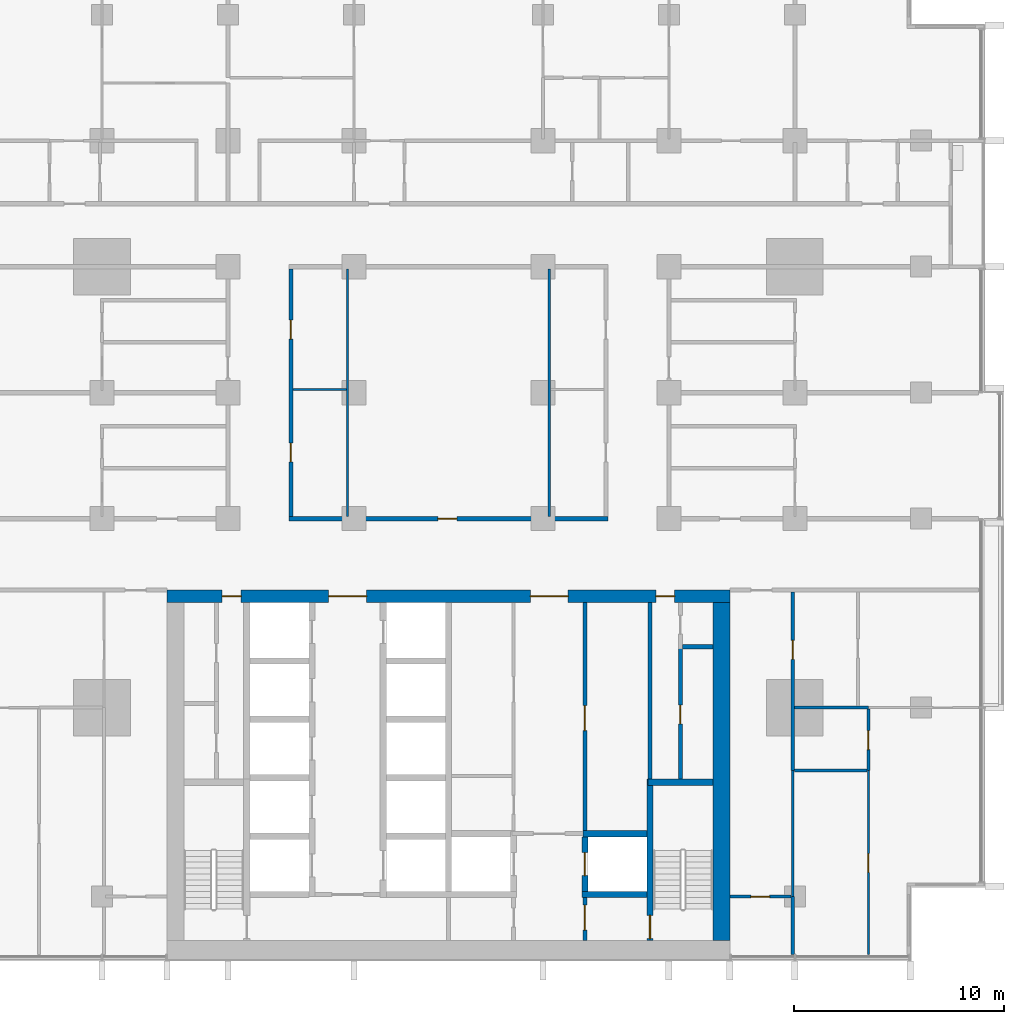
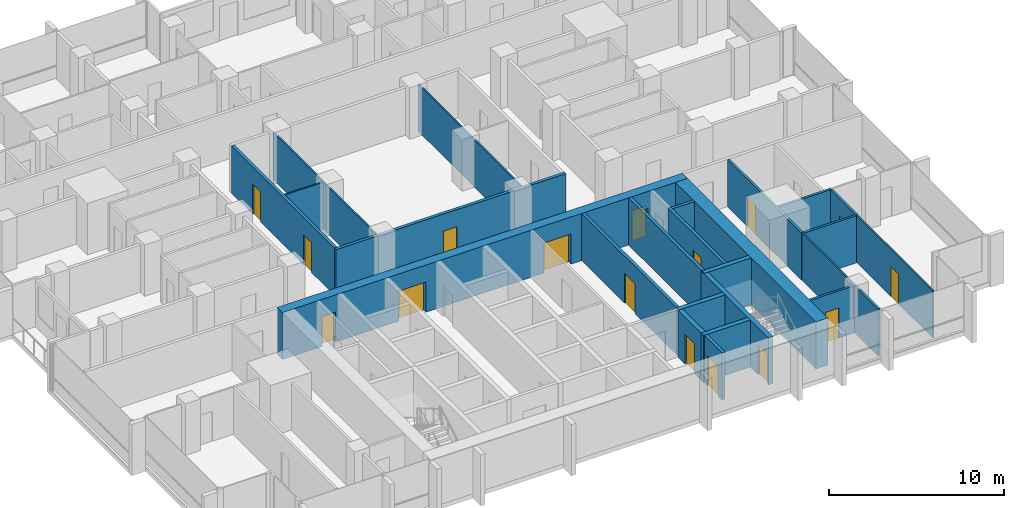
# One storey, part 9 of 17: 25 walls, 16 doors, 16 openings.
"""IFC4 building model written with IfcOpenShell, lengths in metres."""

from ifc_helpers import new_model, si_unit, direction, frame, frame_2d, origin, place, context, subcontext, project, spatial, rectangle, extrude, material, layer, layer_set, type_object, element, fill, save


model = new_model("IFC4")

# Units and contexts
model_context = context("Model", 3, precision=1e-05, world=origin(), true_north=direction((0.0, 1.0)))
body_context = subcontext(model_context, "Body", "Model", "MODEL_VIEW")
ifc_project = project(units=[si_unit("LENGTHUNIT", "METRE"), si_unit("AREAUNIT", "SQUARE_METRE"), si_unit("VOLUMEUNIT", "CUBIC_METRE"), si_unit("PLANEANGLEUNIT", "RADIAN"), si_unit("MASSUNIT", "GRAM", prefix="KILO")], contexts=[model_context])

# Site, building, storey
site_placement = place(None, origin())
site = spatial("IfcSite", under=ifc_project, at=site_placement, CompositionType="ELEMENT")
building_placement = place(site_placement, origin())
building = spatial("IfcBuilding", under=site, at=building_placement, Name="Finial Court Residences", CompositionType="ELEMENT")
storey_placement = place(building_placement, frame((0.0, 0.0, 99.10009765625)))
storey = spatial("IfcBuildingStorey", under=building, at=storey_placement, Name="L24", CompositionType="ELEMENT", Elevation=99.10009765625)

# Wall, openings, doors
ifc_material_1 = material(Name="Concrete C70/85", Category="concrete")
ifc_layer_1 = layer(ifc_material_1, 0.60009765625)
ifc_layer_set_1 = layer_set([ifc_layer_1], Name="Core outer wall 600 Concrete C70/85")
wall_type_1 = type_object("IfcWallType", Name="Core outer wall 600 Concrete C70/85", PredefinedType="SHEAR", material=ifc_layer_set_1)
wall_1_placement = place(storey_placement, frame((-13.39990234375, -8.199951171875, 0.0), z_axis=(0.0, 0.0, 1.0), x_axis=(1.0, 0.0, 0.0)))
wall_1 = element("IfcWall", 1, at=wall_1_placement, inside=storey, type_object=wall_type_1, Name="Core outer wall L24-02", PredefinedType="SHEAR", context=body_context, shape_type="SweptSolid", body=[
    extrude(rectangle(XDim=26.7998046875, YDim=0.60009765625, at=frame_2d((13.39990234375, 0.0))), origin(), (0.0, 0.0, 1.0), 3.2998046875),
])
opening_1_placement = place(wall_1_placement, frame((7.699951171875, 0.0, 0.0)))
opening_1 = element("IfcOpeningElement", 2, at=opening_1_placement, cuts=wall_1, Name="Opening L24-C04", PredefinedType="OPENING", context=body_context, shape_type="SweptSolid", body=[
    extrude(rectangle(XDim=1.800048828125, YDim=2.10009765625, at=frame_2d((0.89990234375, 1.050048828125))), frame((0.0, 0.31005859375, 0.0), z_axis=(0.0, -1.0, 0.0), x_axis=(1.0, 0.0, 0.0)), (0.0, 0.0, 1.0), 0.6201171875),
])
opening_2_placement = place(wall_1_placement, frame((17.300048828125, 0.0, 0.0)))
opening_2 = element("IfcOpeningElement", 3, at=opening_2_placement, cuts=wall_1, Name="Opening L24-C05", PredefinedType="OPENING", context=body_context, shape_type="SweptSolid", body=[
    extrude(rectangle(XDim=1.800048828125, YDim=2.10009765625, at=frame_2d((0.89990234375, 1.050048828125))), frame((0.0, 0.31005859375, 0.0), z_axis=(0.0, -1.0, 0.0), x_axis=(1.0, 0.0, 0.0)), (0.0, 0.0, 1.0), 0.6201171875),
])
opening_3_placement = place(wall_1_placement, frame((2.625, 0.0, 0.0)))
opening_3 = element("IfcOpeningElement", 4, at=opening_3_placement, cuts=wall_1, Name="Opening L24-C10", PredefinedType="OPENING", context=body_context, shape_type="SweptSolid", body=[
    extrude(rectangle(XDim=0.89990234375, YDim=2.10009765625, at=frame_2d((0.449951171875, 1.050048828125))), frame((0.0, 0.31005859375, 0.0), z_axis=(0.0, -1.0, 0.0), x_axis=(1.0, 0.0, 0.0)), (0.0, 0.0, 1.0), 0.6201171875),
])
opening_4_placement = place(wall_1_placement, frame((23.27490234375, 0.0, 0.0)))
opening_4 = element("IfcOpeningElement", 5, at=opening_4_placement, cuts=wall_1, Name="Opening L24-C11", PredefinedType="OPENING", context=body_context, shape_type="SweptSolid", body=[
    extrude(rectangle(XDim=0.89990234375, YDim=2.10009765625, at=frame_2d((0.449951171875, 1.050048828125))), frame((0.0, 0.31005859375, 0.0), z_axis=(0.0, -1.0, 0.0), x_axis=(1.0, 0.0, 0.0)), (0.0, 0.0, 1.0), 0.6201171875),
])
ifc_material_2 = material(Name="Steel fire door", Category="steel")
door_type_1 = type_object("IfcDoorType", Name="Lift lobby door 1800 x 2100 EI 60", OperationType="DOUBLE_DOOR_SINGLE_SWING", PredefinedType="DOOR", material=ifc_material_2)
door_1_placement = place(opening_1_placement, origin())
door_1 = element("IfcDoor", 6, at=door_1_placement, inside=storey, type_object=door_type_1, Name="Lift lobby door L24-C04", OperationType="DOUBLE_DOOR_SINGLE_SWING", OverallHeight=2.10009765625, OverallWidth=1.800048828125, PredefinedType="DOOR", context=body_context, shape_type="SweptSolid", body=[
    extrude(rectangle(XDim=1.800048828125, YDim=2.10009765625, at=frame_2d((0.89990234375, 1.050048828125))), frame((0.0, 0.02490234375, 0.0), z_axis=(0.0, -1.0, 0.0), x_axis=(1.0, 0.0, 0.0)), (0.0, 0.0, 1.0), 0.050048828125),
])
fill(opening_1, door_1)
door_2_placement = place(opening_2_placement, origin())
door_2 = element("IfcDoor", 7, at=door_2_placement, inside=storey, type_object=door_type_1, Name="Lift lobby door L24-C05", OperationType="DOUBLE_DOOR_SINGLE_SWING", OverallHeight=2.10009765625, OverallWidth=1.800048828125, PredefinedType="DOOR", context=body_context, shape_type="SweptSolid", body=[
    extrude(rectangle(XDim=1.800048828125, YDim=2.10009765625, at=frame_2d((0.89990234375, 1.050048828125))), frame((0.0, 0.02490234375, 0.0), z_axis=(0.0, -1.0, 0.0), x_axis=(1.0, 0.0, 0.0)), (0.0, 0.0, 1.0), 0.050048828125),
])
fill(opening_2, door_2)
door_type_2 = type_object("IfcDoorType", Name="Riser room door 900 x 2100 EI 90", OperationType="NOTDEFINED", PredefinedType="DOOR", material=ifc_material_2)
door_3_placement = place(opening_3_placement, origin())
door_3 = element("IfcDoor", 8, at=door_3_placement, inside=storey, type_object=door_type_2, Name="Riser room door L24-C10", OperationType="SINGLE_SWING_RIGHT", OverallHeight=2.10009765625, OverallWidth=0.89990234375, PredefinedType="DOOR", context=body_context, shape_type="SweptSolid", body=[
    extrude(rectangle(XDim=0.89990234375, YDim=2.10009765625, at=frame_2d((0.449951171875, 1.050048828125))), frame((0.0, 0.02490234375, 0.0), z_axis=(0.0, -1.0, 0.0), x_axis=(1.0, 0.0, 0.0)), (0.0, 0.0, 1.0), 0.050048828125),
])
fill(opening_3, door_3)
door_4_placement = place(opening_4_placement, origin())
door_4 = element("IfcDoor", 9, at=door_4_placement, inside=storey, type_object=door_type_2, Name="Riser room door L24-C11", OperationType="SINGLE_SWING_LEFT", OverallHeight=2.10009765625, OverallWidth=0.89990234375, PredefinedType="DOOR", context=body_context, shape_type="SweptSolid", body=[
    extrude(rectangle(XDim=0.89990234375, YDim=2.10009765625, at=frame_2d((0.449951171875, 1.050048828125))), frame((0.0, 0.02490234375, 0.0), z_axis=(0.0, -1.0, 0.0), x_axis=(1.0, 0.0, 0.0)), (0.0, 0.0, 1.0), 0.050048828125),
])
fill(opening_4, door_4)

# Wall
ifc_layer_2 = layer(ifc_material_1, 0.800048828125)
ifc_layer_set_2 = layer_set([ifc_layer_2], Name="Core outer wall 800 Concrete C70/85")
wall_type_2 = type_object("IfcWallType", Name="Core outer wall 800 Concrete C70/85", PredefinedType="SHEAR", material=ifc_layer_set_2)
wall_2_placement = place(storey_placement, frame((13.0, -24.60009765625, 0.0), z_axis=(0.0, 0.0, 1.0), x_axis=(0.0, 1.0, 0.0)))
element("IfcWall", 10, at=wall_2_placement, inside=storey, type_object=wall_type_2, Name="Core outer wall L24-04", PredefinedType="SHEAR", context=body_context, shape_type="SweptSolid", body=[
    extrude(rectangle(XDim=16.10009765625, YDim=0.800048828125, at=frame_2d((8.050048828125, 0.0))), origin(), (0.0, 0.0, 1.0), 3.2998046875),
])

# Wall, opening, door
ifc_material_3 = material(Name="Gypsum board")
ifc_layer_3 = layer(ifc_material_3, 0.02490234375)
ifc_material_4 = material(Name="Acoustic mineral wool in double frame")
ifc_layer_4 = layer(ifc_material_4, 0.14990234375)
ifc_layer_5 = layer(ifc_material_3, 0.02490234375)
ifc_layer_set_3 = layer_set([ifc_layer_3, ifc_layer_4, ifc_layer_5], Name="Corridor wall 200, 1 hour")
wall_type_3 = type_object("IfcWallType", Name="Corridor wall 200, 1 hour", PredefinedType="PARTITIONING", material=ifc_layer_set_3)
wall_3_placement = place(storey_placement, frame((-7.60009765625, -4.5, 0.0), z_axis=(0.0, 0.0, 1.0), x_axis=(1.0, 0.0, 0.0)))
wall_3 = element("IfcWall", 11, at=wall_3_placement, inside=storey, type_object=wall_type_3, Name="Partition L24-010", PredefinedType="PARTITIONING", context=body_context, shape_type="SweptSolid", body=[
    extrude(rectangle(XDim=15.2001953125, YDim=0.199951171875, at=frame_2d((7.60009765625, 0.0))), origin(), (0.0, 0.0, 1.0), 3.2998046875),
])
opening_5_placement = place(wall_3_placement, frame((7.10009765625, 0.0, 0.0)))
opening_5 = element("IfcOpeningElement", 12, at=opening_5_placement, cuts=wall_3, Name="Opening L24-D008", PredefinedType="OPENING", context=body_context, shape_type="SweptSolid", body=[
    extrude(rectangle(XDim=0.89990234375, YDim=2.10009765625, at=frame_2d((0.449951171875, 1.050048828125))), frame((0.0, 0.10986328125, 0.0), z_axis=(0.0, -1.0, 0.0), x_axis=(1.0, 0.0, 0.0)), (0.0, 0.0, 1.0), 0.219970703125),
])
ifc_material_5 = material(Name="Timber door leaf in hollow metal frame", Category="wood")
door_type_3 = type_object("IfcDoorType", Name="Fire door set 900 x 2100, 30 minutes", OperationType="SINGLE_SWING_LEFT", PredefinedType="DOOR", material=ifc_material_5)
door_5_placement = place(opening_5_placement, origin())
door_5 = element("IfcDoor", 13, at=door_5_placement, inside=storey, type_object=door_type_3, Name="Door L24-D008", OperationType="SINGLE_SWING_RIGHT", OverallHeight=2.10009765625, OverallWidth=0.89990234375, PredefinedType="DOOR", context=body_context, shape_type="SweptSolid", body=[
    extrude(rectangle(XDim=0.89990234375, YDim=2.10009765625, at=frame_2d((0.449951171875, 1.050048828125))), frame((0.0, 0.02490234375, 0.0), z_axis=(0.0, -1.0, 0.0), x_axis=(1.0, 0.0, 0.0)), (0.0, 0.0, 1.0), 0.050048828125),
])
fill(opening_5, door_5)

# Wall, openings, doors
wall_4_placement = place(storey_placement, frame((-7.5, -4.39990234375, 0.0), z_axis=(0.0, 0.0, 1.0), x_axis=(0.0, 1.0, 0.0)))
wall_4 = element("IfcWall", 14, at=wall_4_placement, inside=storey, type_object=wall_type_3, Name="Partition L24-057", PredefinedType="PARTITIONING", context=body_context, shape_type="SweptSolid", body=[
    extrude(rectangle(XDim=11.7998046875, YDim=0.199951171875, at=frame_2d((5.89990234375, 0.0))), origin(), (0.0, 0.0, 1.0), 3.2998046875),
])
opening_6_placement = place(wall_4_placement, frame((2.60009765625, 0.0, 0.0)))
opening_6 = element("IfcOpeningElement", 15, at=opening_6_placement, cuts=wall_4, Name="Opening L24-D032", PredefinedType="OPENING", context=body_context, shape_type="SweptSolid", body=[
    extrude(rectangle(XDim=0.89990234375, YDim=2.10009765625, at=frame_2d((0.449951171875, 1.050048828125))), frame((0.0, 0.10986328125, 0.0), z_axis=(0.0, -1.0, 0.0), x_axis=(1.0, 0.0, 0.0)), (0.0, 0.0, 1.0), 0.219970703125),
])
opening_7_placement = place(wall_4_placement, frame((8.449951171875, 0.0, 0.0)))
opening_7 = element("IfcOpeningElement", 16, at=opening_7_placement, cuts=wall_4, Name="Opening L24-D033", PredefinedType="OPENING", context=body_context, shape_type="SweptSolid", body=[
    extrude(rectangle(XDim=0.89990234375, YDim=2.10009765625, at=frame_2d((0.449951171875, 1.050048828125))), frame((0.0, 0.10986328125, 0.0), z_axis=(0.0, -1.0, 0.0), x_axis=(1.0, 0.0, 0.0)), (0.0, 0.0, 1.0), 0.219970703125),
])
door_6_placement = place(opening_6_placement, origin())
door_6 = element("IfcDoor", 17, at=door_6_placement, inside=storey, type_object=door_type_3, Name="Door L24-D032", OperationType="SINGLE_SWING_LEFT", OverallHeight=2.10009765625, OverallWidth=0.89990234375, PredefinedType="DOOR", context=body_context, shape_type="SweptSolid", body=[
    extrude(rectangle(XDim=0.89990234375, YDim=2.10009765625, at=frame_2d((0.449951171875, 1.050048828125))), frame((0.0, 0.02490234375, 0.0), z_axis=(0.0, -1.0, 0.0), x_axis=(1.0, 0.0, 0.0)), (0.0, 0.0, 1.0), 0.050048828125),
])
fill(opening_6, door_6)
door_7_placement = place(opening_7_placement, origin())
door_7 = element("IfcDoor", 18, at=door_7_placement, inside=storey, type_object=door_type_3, Name="Door L24-D033", OperationType="SINGLE_SWING_RIGHT", OverallHeight=2.10009765625, OverallWidth=0.89990234375, PredefinedType="DOOR", context=body_context, shape_type="SweptSolid", body=[
    extrude(rectangle(XDim=0.89990234375, YDim=2.10009765625, at=frame_2d((0.449951171875, 1.050048828125))), frame((0.0, 0.02490234375, 0.0), z_axis=(0.0, -1.0, 0.0), x_axis=(1.0, 0.0, 0.0)), (0.0, 0.0, 1.0), 0.050048828125),
])
fill(opening_7, door_7)

# Wall, opening, door
ifc_material_6 = material(Name="Fire-rated gypsum board partition")
ifc_layer_6 = layer(ifc_material_6, 0.199951171875)
ifc_layer_set_4 = layer_set([ifc_layer_6], Name="Firefighting lobby wall 200 EI 120")
wall_type_4 = type_object("IfcWallType", Name="Firefighting lobby wall 200 EI 120", PredefinedType="PARTITIONING", material=ifc_layer_set_4)
wall_5_placement = place(storey_placement, frame((6.5, -22.550048828125, 0.0), z_axis=(0.0, 0.0, 1.0), x_axis=(0.0, -1.0, 0.0)))
wall_5 = element("IfcWall", 19, at=wall_5_placement, inside=storey, type_object=wall_type_4, Name="Core partition L24-32", PredefinedType="PARTITIONING", context=body_context, shape_type="SweptSolid", body=[
    extrude(rectangle(XDim=2.050048828125, YDim=0.199951171875, at=frame_2d((1.02490234375, 0.0))), origin(), (0.0, 0.0, 1.0), 3.2998046875),
])
opening_8_placement = place(wall_5_placement, frame((0.35009765625, 0.0, 0.0)))
opening_8 = element("IfcOpeningElement", 20, at=opening_8_placement, cuts=wall_5, Name="Opening L24-C01", PredefinedType="OPENING", context=body_context, shape_type="SweptSolid", body=[
    extrude(rectangle(XDim=1.199951171875, YDim=2.10009765625, at=frame_2d((0.60009765625, 1.050048828125))), frame((0.0, 0.10986328125, 0.0), z_axis=(0.0, -1.0, 0.0), x_axis=(1.0, 0.0, 0.0)), (0.0, 0.0, 1.0), 0.219970703125),
])
door_type_4 = type_object("IfcDoorType", Name="Firefighting lobby door 1200 x 2100 EI 90", OperationType="NOTDEFINED", PredefinedType="DOOR", material=ifc_material_2)
door_8_placement = place(opening_8_placement, origin())
door_8 = element("IfcDoor", 21, at=door_8_placement, inside=storey, type_object=door_type_4, Name="Firefighting lobby door L24-C01", OperationType="SINGLE_SWING_RIGHT", OverallHeight=2.10009765625, OverallWidth=1.199951171875, PredefinedType="DOOR", context=body_context, shape_type="SweptSolid", body=[
    extrude(rectangle(XDim=1.199951171875, YDim=2.10009765625, at=frame_2d((0.60009765625, 1.050048828125))), frame((0.0, 0.02490234375, 0.0), z_axis=(0.0, -1.0, 0.0), x_axis=(1.0, 0.0, 0.0)), (0.0, 0.0, 1.0), 0.050048828125),
])
fill(opening_8, door_8)

# Walls
ifc_layer_7 = layer(ifc_material_3, 0.012451171875)
ifc_material_7 = material(Name="Mineral wool in light-gauge frame")
ifc_layer_8 = layer(ifc_material_7, 0.074951171875)
ifc_layer_9 = layer(ifc_material_3, 0.012451171875)
ifc_layer_set_5 = layer_set([ifc_layer_7, ifc_layer_8, ifc_layer_9], Name="Gypsum board partition 100")
wall_type_5 = type_object("IfcWallType", Name="Gypsum board partition 100", PredefinedType="PARTITIONING", material=ifc_layer_set_5)
wall_6_placement = place(storey_placement, frame((-7.39990234375, 1.64990234375, 0.0), z_axis=(0.0, 0.0, 1.0), x_axis=(1.0, 0.0, 0.0)))
element("IfcWall", 22, at=wall_6_placement, inside=storey, type_object=wall_type_5, Name="Partition L24-018", PredefinedType="PARTITIONING", context=body_context, shape_type="SweptSolid", body=[
    extrude(rectangle(XDim=2.5498046875, YDim=0.10009765625, at=frame_2d((1.27490234375, 0.0))), origin(), (0.0, 0.0, 1.0), 3.2998046875),
])
for number, where, z_axis, x_axis, name in (
    (23, (-4.800048828125, -4.39990234375, 0.0), (0.0, 0.0, 1.0), (0.0, 1.0, 0.0), "Partition L24-058"),
    (24, (4.800048828125, -4.39990234375, 0.0), (0.0, 0.0, 1.0), (0.0, 1.0, 0.0), "Partition L24-064"),
):
    element("IfcWall", number, at=place(storey_placement, frame(where, z_axis=z_axis, x_axis=x_axis)), inside=storey, type_object=wall_type_5, Name=name, PredefinedType="PARTITIONING", context=body_context, shape_type="SweptSolid", body=[
        extrude(rectangle(XDim=11.7998046875, YDim=0.10009765625, at=frame_2d((5.89990234375, 0.0))), origin(), (0.0, 0.0, 1.0), 3.2998046875),
    ])
wall_7_placement = place(storey_placement, frame((16.39990234375, -22.5, 0.0), z_axis=(0.0, 0.0, 1.0), x_axis=(0.0, 1.0, 0.0)))
element("IfcWall", 25, at=wall_7_placement, inside=storey, type_object=wall_type_5, Name="Partition L24-071", PredefinedType="PARTITIONING", context=body_context, shape_type="SweptSolid", body=[
    extrude(rectangle(XDim=6.0, YDim=0.10009765625, at=frame_2d((3.0, 0.0))), origin(), (0.0, 0.0, 1.0), 3.2998046875),
])

# Wall, opening, door
wall_8_placement = place(storey_placement, frame((20.0, -25.25, 0.0), z_axis=(0.0, 0.0, 1.0), x_axis=(0.0, 1.0, 0.0)))
wall_8 = element("IfcWall", 26, at=wall_8_placement, inside=storey, type_object=wall_type_5, Name="Partition L24-082", PredefinedType="PARTITIONING", context=body_context, shape_type="SweptSolid", body=[
    extrude(rectangle(XDim=8.75, YDim=0.10009765625, at=frame_2d((4.375, 0.0))), origin(), (0.0, 0.0, 1.0), 3.2998046875),
])
opening_9_placement = place(wall_8_placement, frame((3.89990234375, 0.0, 0.0)))
opening_9 = element("IfcOpeningElement", 27, at=opening_9_placement, cuts=wall_8, Name="Opening L24-D050", PredefinedType="OPENING", context=body_context, shape_type="SweptSolid", body=[
    extrude(rectangle(XDim=0.89990234375, YDim=2.10009765625, at=frame_2d((0.449951171875, 1.050048828125))), frame((0.0, 0.06005859375, 0.0), z_axis=(0.0, -1.0, 0.0), x_axis=(1.0, 0.0, 0.0)), (0.0, 0.0, 1.0), 0.1201171875),
])
ifc_material_8 = material(Name="Timber door leaf in timber frame", Category="wood")
door_type_5 = type_object("IfcDoorType", Name="Door set 900 x 2100", OperationType="SINGLE_SWING_LEFT", PredefinedType="DOOR", material=ifc_material_8)
door_9_placement = place(opening_9_placement, origin())
door_9 = element("IfcDoor", 28, at=door_9_placement, inside=storey, type_object=door_type_5, Name="Door L24-D050", OperationType="SINGLE_SWING_LEFT", OverallHeight=2.10009765625, OverallWidth=0.89990234375, PredefinedType="DOOR", context=body_context, shape_type="SweptSolid", body=[
    extrude(rectangle(XDim=0.89990234375, YDim=2.10009765625, at=frame_2d((0.449951171875, 1.050048828125))), frame((0.0, 0.02490234375, 0.0), z_axis=(0.0, -1.0, 0.0), x_axis=(1.0, 0.0, 0.0)), (0.0, 0.0, 1.0), 0.050048828125),
])
fill(opening_9, door_9)

ifc_material_9 = material(Name="Moisture-resistant gypsum board")
ifc_layer_10 = layer(ifc_material_9, 0.012451171875)
ifc_layer_11 = layer(ifc_material_7, 0.125)
ifc_layer_12 = layer(ifc_material_9, 0.012451171875)
ifc_layer_set_6 = layer_set([ifc_layer_10, ifc_layer_11, ifc_layer_12], Name="Gypsum board wet-area partition 150")
wall_type_6 = type_object("IfcWallType", Name="Gypsum board wet-area partition 150", PredefinedType="PARTITIONING", material=ifc_layer_set_6)
wall_9_placement = place(storey_placement, frame((13.39990234375, -22.5, 0.0), z_axis=(0.0, 0.0, 1.0), x_axis=(1.0, 0.0, 0.0)))
wall_9 = element("IfcWall", 29, at=wall_9_placement, inside=storey, type_object=wall_type_6, Name="Partition L24-001", PredefinedType="PARTITIONING", context=body_context, shape_type="SweptSolid", body=[
    extrude(rectangle(XDim=2.925048828125, YDim=0.14990234375, at=frame_2d((1.46240234375, 0.0))), origin(), (0.0, 0.0, 1.0), 3.2998046875),
])
opening_10_placement = place(wall_9_placement, frame((1.0, 0.0, 0.0)))
opening_10 = element("IfcOpeningElement", 30, at=opening_10_placement, cuts=wall_9, Name="Opening L24-D002", PredefinedType="OPENING", context=body_context, shape_type="SweptSolid", body=[
    extrude(rectangle(XDim=0.89990234375, YDim=2.10009765625, at=frame_2d((0.449951171875, 1.050048828125))), frame((0.0, 0.0849609375, 0.0), z_axis=(0.0, -1.0, 0.0), x_axis=(1.0, 0.0, 0.0)), (0.0, 0.0, 1.0), 0.169921875),
])
door_10_placement = place(opening_10_placement, origin())
door_10 = element("IfcDoor", 31, at=door_10_placement, inside=storey, type_object=door_type_5, Name="Door L24-D002", OperationType="SINGLE_SWING_LEFT", OverallHeight=2.10009765625, OverallWidth=0.89990234375, PredefinedType="DOOR", context=body_context, shape_type="SweptSolid", body=[
    extrude(rectangle(XDim=0.89990234375, YDim=2.10009765625, at=frame_2d((0.449951171875, 1.050048828125))), frame((0.0, 0.02490234375, 0.0), z_axis=(0.0, -1.0, 0.0), x_axis=(1.0, 0.0, 0.0)), (0.0, 0.0, 1.0), 0.050048828125),
])
fill(opening_10, door_10)

# Walls
wall_10_placement = place(storey_placement, frame((16.47509765625, -16.5, 0.0), z_axis=(0.0, 0.0, 1.0), x_axis=(1.0, 0.0, 0.0)))
element("IfcWall", 32, at=wall_10_placement, inside=storey, type_object=wall_type_6, Name="Partition L24-002", PredefinedType="PARTITIONING", context=body_context, shape_type="SweptSolid", body=[
    extrude(rectangle(XDim=3.449951171875, YDim=0.14990234375, at=frame_2d((1.72509765625, 0.0))), origin(), (0.0, 0.0, 1.0), 3.2998046875),
])
wall_11_placement = place(storey_placement, frame((16.47509765625, -13.5, 0.0), z_axis=(0.0, 0.0, 1.0), x_axis=(1.0, 0.0, 0.0)))
element("IfcWall", 33, at=wall_11_placement, inside=storey, type_object=wall_type_6, Name="Partition L24-006", PredefinedType="PARTITIONING", context=body_context, shape_type="SweptSolid", body=[
    extrude(rectangle(XDim=3.52490234375, YDim=0.14990234375, at=frame_2d((1.762451171875, 0.0))), origin(), (0.0, 0.0, 1.0), 3.2998046875),
])
wall_12_placement = place(storey_placement, frame((16.39990234375, -25.25, 0.0), z_axis=(0.0, 0.0, 1.0), x_axis=(0.0, 1.0, 0.0)))
element("IfcWall", 34, at=wall_12_placement, inside=storey, type_object=wall_type_6, Name="Partition L24-072", PredefinedType="PARTITIONING", context=body_context, shape_type="SweptSolid", body=[
    extrude(rectangle(XDim=2.75, YDim=0.14990234375, at=frame_2d((1.375, 0.0))), origin(), (0.0, 0.0, 1.0), 3.2998046875),
])

# Wall, opening, door
wall_13_placement = place(storey_placement, frame((16.39990234375, -16.5, 0.0), z_axis=(0.0, 0.0, 1.0), x_axis=(0.0, 1.0, 0.0)))
wall_13 = element("IfcWall", 35, at=wall_13_placement, inside=storey, type_object=wall_type_6, Name="Partition L24-073", PredefinedType="PARTITIONING", context=body_context, shape_type="SweptSolid", body=[
    extrude(rectangle(XDim=8.5, YDim=0.14990234375, at=frame_2d((4.25, 0.0))), origin(), (0.0, 0.0, 1.0), 3.2998046875),
])
opening_11_placement = place(wall_13_placement, frame((5.300048828125, 0.0, 0.0)))
opening_11 = element("IfcOpeningElement", 36, at=opening_11_placement, cuts=wall_13, Name="Opening L24-D043", PredefinedType="OPENING", context=body_context, shape_type="SweptSolid", body=[
    extrude(rectangle(XDim=0.89990234375, YDim=2.10009765625, at=frame_2d((0.449951171875, 1.050048828125))), frame((0.0, 0.0849609375, 0.0), z_axis=(0.0, -1.0, 0.0), x_axis=(1.0, 0.0, 0.0)), (0.0, 0.0, 1.0), 0.169921875),
])
door_11_placement = place(opening_11_placement, origin())
door_11 = element("IfcDoor", 37, at=door_11_placement, inside=storey, type_object=door_type_5, Name="Door L24-D043", OperationType="SINGLE_SWING_RIGHT", OverallHeight=2.10009765625, OverallWidth=0.89990234375, PredefinedType="DOOR", context=body_context, shape_type="SweptSolid", body=[
    extrude(rectangle(XDim=0.89990234375, YDim=2.10009765625, at=frame_2d((0.449951171875, 1.050048828125))), frame((0.0, 0.02490234375, 0.0), z_axis=(0.0, -1.0, 0.0), x_axis=(1.0, 0.0, 0.0)), (0.0, 0.0, 1.0), 0.050048828125),
])
fill(opening_11, door_11)

wall_14_placement = place(storey_placement, frame((20.0, -16.5, 0.0), z_axis=(0.0, 0.0, 1.0), x_axis=(0.0, 1.0, 0.0)))
wall_14 = element("IfcWall", 38, at=wall_14_placement, inside=storey, type_object=wall_type_6, Name="Partition L24-083", PredefinedType="PARTITIONING", context=body_context, shape_type="SweptSolid", body=[
    extrude(rectangle(XDim=2.925048828125, YDim=0.14990234375, at=frame_2d((1.46240234375, 0.0))), origin(), (0.0, 0.0, 1.0), 3.2998046875),
])
opening_12_placement = place(wall_14_placement, frame((1.0, 0.0, 0.0)))
opening_12 = element("IfcOpeningElement", 39, at=opening_12_placement, cuts=wall_14, Name="Opening L24-D051", PredefinedType="OPENING", context=body_context, shape_type="SweptSolid", body=[
    extrude(rectangle(XDim=0.89990234375, YDim=2.10009765625, at=frame_2d((0.449951171875, 1.050048828125))), frame((0.0, 0.0849609375, 0.0), z_axis=(0.0, -1.0, 0.0), x_axis=(1.0, 0.0, 0.0)), (0.0, 0.0, 1.0), 0.169921875),
])
door_12_placement = place(opening_12_placement, origin())
door_12 = element("IfcDoor", 40, at=door_12_placement, inside=storey, type_object=door_type_5, Name="Door L24-D051", OperationType="SINGLE_SWING_LEFT", OverallHeight=2.10009765625, OverallWidth=0.89990234375, PredefinedType="DOOR", context=body_context, shape_type="SweptSolid", body=[
    extrude(rectangle(XDim=0.89990234375, YDim=2.10009765625, at=frame_2d((0.449951171875, 1.050048828125))), frame((0.0, 0.02490234375, 0.0), z_axis=(0.0, -1.0, 0.0), x_axis=(1.0, 0.0, 0.0)), (0.0, 0.0, 1.0), 0.050048828125),
])
fill(opening_12, door_12)

# Walls
ifc_layer_13 = layer(ifc_material_1, 0.300048828125)
ifc_layer_set_7 = layer_set([ifc_layer_13], Name="Lift shaft and stair wall 300 Concrete C70/85")
wall_type_7 = type_object("IfcWallType", Name="Lift shaft and stair wall 300 Concrete C70/85", PredefinedType="SHEAR", material=ifc_layer_set_7)
wall_15_placement = place(storey_placement, frame((6.35009765625, -22.39990234375, 0.0), z_axis=(0.0, 0.0, 1.0), x_axis=(1.0, 0.0, 0.0)))
element("IfcWall", 41, at=wall_15_placement, inside=storey, type_object=wall_type_7, Name="Core wall L24-04", PredefinedType="SHEAR", context=body_context, shape_type="SweptSolid", body=[
    extrude(rectangle(XDim=3.099853515625, YDim=0.300048828125, at=frame_2d((1.5498046875, 0.0))), origin(), (0.0, 0.0, 1.0), 3.2998046875),
])
wall_16_placement = place(storey_placement, frame((6.39990234375, -19.5, 0.0), z_axis=(0.0, 0.0, 1.0), x_axis=(1.0, 0.0, 0.0)))
element("IfcWall", 42, at=wall_16_placement, inside=storey, type_object=wall_type_7, Name="Core wall L24-09", PredefinedType="SHEAR", context=body_context, shape_type="SweptSolid", body=[
    extrude(rectangle(XDim=3.050048828125, YDim=0.300048828125, at=frame_2d((1.52490234375, 0.0))), origin(), (0.0, 0.0, 1.0), 3.2998046875),
])
wall_17_placement = place(storey_placement, frame((9.5, -17.050048828125, 0.0), z_axis=(0.0, 0.0, 1.0), x_axis=(1.0, 0.0, 0.0)))
element("IfcWall", 43, at=wall_17_placement, inside=storey, type_object=wall_type_7, Name="Core wall L24-11", PredefinedType="SHEAR", context=body_context, shape_type="SweptSolid", body=[
    extrude(rectangle(XDim=3.10009765625, YDim=0.300048828125, at=frame_2d((1.550048828125, 0.0))), origin(), (0.0, 0.0, 1.0), 3.2998046875),
])

# Wall, opening, door
wall_18_placement = place(storey_placement, frame((6.5, -22.25, 0.0), z_axis=(0.0, 0.0, 1.0), x_axis=(0.0, 1.0, 0.0)))
wall_18 = element("IfcWall", 44, at=wall_18_placement, inside=storey, type_object=wall_type_7, Name="Core wall L24-33", PredefinedType="SHEAR", context=body_context, shape_type="SweptSolid", body=[
    extrude(rectangle(XDim=2.60009765625, YDim=0.300048828125, at=frame_2d((1.300048828125, 0.0))), origin(), (0.0, 0.0, 1.0), 3.2998046875),
])
opening_13_placement = place(wall_18_placement, frame((0.75, 0.0, 0.0)))
opening_13 = element("IfcOpeningElement", 45, at=opening_13_placement, cuts=wall_18, Name="Opening L24-LD02", PredefinedType="OPENING", context=body_context, shape_type="SweptSolid", body=[
    extrude(rectangle(XDim=1.10009765625, YDim=2.10009765625, at=frame_2d((0.550048828125, 1.050048828125))), frame((0.0, 0.159912109375, 0.0), z_axis=(0.0, -1.0, 0.0), x_axis=(1.0, 0.0, 0.0)), (0.0, 0.0, 1.0), 0.320068359375),
])
ifc_material_10 = material(Name="Stainless steel lift door", Category="steel")
door_type_6 = type_object("IfcDoorType", Name="Lift landing door 1100 x 2100 EI 90", OperationType="DOUBLE_DOOR_SLIDING", PredefinedType="DOOR", material=ifc_material_10)
door_13_placement = place(opening_13_placement, origin())
door_13 = element("IfcDoor", 46, at=door_13_placement, inside=storey, type_object=door_type_6, Name="Lift landing door FF2 L24", OperationType="DOUBLE_DOOR_SLIDING", OverallHeight=2.10009765625, OverallWidth=1.10009765625, PredefinedType="DOOR", context=body_context, shape_type="SweptSolid", body=[
    extrude(rectangle(XDim=1.10009765625, YDim=2.10009765625, at=frame_2d((0.550048828125, 1.050048828125))), frame((0.0, 0.02490234375, 0.0), z_axis=(0.0, -1.0, 0.0), x_axis=(1.0, 0.0, 0.0)), (0.0, 0.0, 1.0), 0.050048828125),
])
fill(opening_13, door_13)

wall_19_placement = place(storey_placement, frame((9.60009765625, -16.89990234375, 0.0), z_axis=(0.0, 0.0, 1.0), x_axis=(0.0, -1.0, 0.0)))
wall_19 = element("IfcWall", 47, at=wall_19_placement, inside=storey, type_object=wall_type_7, Name="Core wall L24-35", PredefinedType="SHEAR", context=body_context, shape_type="SweptSolid", body=[
    extrude(rectangle(XDim=7.7001953125, YDim=0.300048828125, at=frame_2d((3.85009765625, 0.0))), origin(), (0.0, 0.0, 1.0), 3.2998046875),
])
opening_14_placement = place(wall_19_placement, frame((6.5, 0.0, 0.0)))
opening_14 = element("IfcOpeningElement", 48, at=opening_14_placement, cuts=wall_19, Name="Opening L24-C17", PredefinedType="OPENING", context=body_context, shape_type="SweptSolid", body=[
    extrude(rectangle(XDim=1.10009765625, YDim=2.10009765625, at=frame_2d((0.550048828125, 1.050048828125))), frame((0.0, 0.159912109375, 0.0), z_axis=(0.0, -1.0, 0.0), x_axis=(1.0, 0.0, 0.0)), (0.0, 0.0, 1.0), 0.320068359375),
])
door_type_7 = type_object("IfcDoorType", Name="Stair door 1100 x 2100 EI 90", OperationType="NOTDEFINED", PredefinedType="DOOR", material=ifc_material_2)
door_14_placement = place(opening_14_placement, origin())
door_14 = element("IfcDoor", 49, at=door_14_placement, inside=storey, type_object=door_type_7, Name="Stair door L24-C17", OperationType="SINGLE_SWING_RIGHT", OverallHeight=2.10009765625, OverallWidth=1.10009765625, PredefinedType="DOOR", context=body_context, shape_type="SweptSolid", body=[
    extrude(rectangle(XDim=1.10009765625, YDim=2.10009765625, at=frame_2d((0.550048828125, 1.050048828125))), frame((0.0, 0.02490234375, 0.0), z_axis=(0.0, -1.0, 0.0), x_axis=(1.0, 0.0, 0.0)), (0.0, 0.0, 1.0), 0.050048828125),
])
fill(opening_14, door_14)

# Wall
ifc_layer_14 = layer(ifc_material_6, 0.199951171875)
ifc_layer_set_8 = layer_set([ifc_layer_14], Name="Riser room wall 200 EI 120")
wall_type_8 = type_object("IfcWallType", Name="Riser room wall 200 EI 120", PredefinedType="PARTITIONING", material=ifc_layer_set_8)
wall_20_placement = place(storey_placement, frame((11.14990234375, -10.60009765625, 0.0), z_axis=(0.0, 0.0, 1.0), x_axis=(1.0, 0.0, 0.0)))
element("IfcWall", 50, at=wall_20_placement, inside=storey, type_object=wall_type_8, Name="Core partition L24-20", PredefinedType="PARTITIONING", context=body_context, shape_type="SweptSolid", body=[
    extrude(rectangle(XDim=1.4501953125, YDim=0.199951171875, at=frame_2d((0.72509765625, 0.0))), origin(), (0.0, 0.0, 1.0), 3.2998046875),
])

# Wall, opening, door
wall_21_placement = place(storey_placement, frame((6.5, -8.5, 0.0), z_axis=(0.0, 0.0, 1.0), x_axis=(0.0, -1.0, 0.0)))
wall_21 = element("IfcWall", 51, at=wall_21_placement, inside=storey, type_object=wall_type_8, Name="Core partition L24-34", PredefinedType="PARTITIONING", context=body_context, shape_type="SweptSolid", body=[
    extrude(rectangle(XDim=10.85009765625, YDim=0.199951171875, at=frame_2d((5.425048828125, 0.0))), origin(), (0.0, 0.0, 1.0), 3.2998046875),
])
opening_15_placement = place(wall_21_placement, frame((4.89990234375, 0.0, 0.0)))
opening_15 = element("IfcOpeningElement", 52, at=opening_15_placement, cuts=wall_21, Name="Opening L24-C09", PredefinedType="OPENING", context=body_context, shape_type="SweptSolid", body=[
    extrude(rectangle(XDim=1.199951171875, YDim=2.10009765625, at=frame_2d((0.60009765625, 1.050048828125))), frame((0.0, 0.10986328125, 0.0), z_axis=(0.0, -1.0, 0.0), x_axis=(1.0, 0.0, 0.0)), (0.0, 0.0, 1.0), 0.219970703125),
])
door_type_8 = type_object("IfcDoorType", Name="Riser room door 1200 x 2100 EI 90", OperationType="NOTDEFINED", PredefinedType="DOOR", material=ifc_material_2)
door_15_placement = place(opening_15_placement, origin())
door_15 = element("IfcDoor", 53, at=door_15_placement, inside=storey, type_object=door_type_8, Name="Riser room door L24-C09", OperationType="SINGLE_SWING_RIGHT", OverallHeight=2.10009765625, OverallWidth=1.199951171875, PredefinedType="DOOR", context=body_context, shape_type="SweptSolid", body=[
    extrude(rectangle(XDim=1.199951171875, YDim=2.10009765625, at=frame_2d((0.60009765625, 1.050048828125))), frame((0.0, 0.02490234375, 0.0), z_axis=(0.0, -1.0, 0.0), x_axis=(1.0, 0.0, 0.0)), (0.0, 0.0, 1.0), 0.050048828125),
])
fill(opening_15, door_15)

# Wall
wall_22_placement = place(storey_placement, frame((9.60009765625, -16.89990234375, 0.0), z_axis=(0.0, 0.0, 1.0), x_axis=(0.0, 1.0, 0.0)))
element("IfcWall", 54, at=wall_22_placement, inside=storey, type_object=wall_type_8, Name="Core partition L24-36", PredefinedType="PARTITIONING", context=body_context, shape_type="SweptSolid", body=[
    extrude(rectangle(XDim=8.39990234375, YDim=0.199951171875, at=frame_2d((4.199951171875, 0.0))), origin(), (0.0, 0.0, 1.0), 3.2998046875),
])

# Wall, opening, door
ifc_layer_15 = layer(ifc_material_6, 0.199951171875)
ifc_layer_set_9 = layer_set([ifc_layer_15], Name="Stair passage wall 200 EI 180")
wall_type_9 = type_object("IfcWallType", Name="Stair passage wall 200 EI 180", PredefinedType="PARTITIONING", material=ifc_layer_set_9)
wall_23_placement = place(storey_placement, frame((11.050048828125, -10.5, 0.0), z_axis=(0.0, 0.0, 1.0), x_axis=(0.0, -1.0, 0.0)))
wall_23 = element("IfcWall", 55, at=wall_23_placement, inside=storey, type_object=wall_type_9, Name="Core partition L24-37", PredefinedType="PARTITIONING", context=body_context, shape_type="SweptSolid", body=[
    extrude(rectangle(XDim=6.39990234375, YDim=0.199951171875, at=frame_2d((3.199951171875, 0.0))), origin(), (0.0, 0.0, 1.0), 3.2998046875),
])
opening_16_placement = place(wall_23_placement, frame((2.875, 0.0, 0.0)))
opening_16 = element("IfcOpeningElement", 56, at=opening_16_placement, cuts=wall_23, Name="Opening L24-C13", PredefinedType="OPENING", context=body_context, shape_type="SweptSolid", body=[
    extrude(rectangle(XDim=0.89990234375, YDim=2.10009765625, at=frame_2d((0.449951171875, 1.050048828125))), frame((0.0, 0.10986328125, 0.0), z_axis=(0.0, -1.0, 0.0), x_axis=(1.0, 0.0, 0.0)), (0.0, 0.0, 1.0), 0.219970703125),
])
door_type_9 = type_object("IfcDoorType", Name="Core room door 900 x 2100 EI 60", OperationType="NOTDEFINED", PredefinedType="DOOR", material=ifc_material_2)
door_16_placement = place(opening_16_placement, origin())
door_16 = element("IfcDoor", 57, at=door_16_placement, inside=storey, type_object=door_type_9, Name="Core room door L24-C13", OperationType="SINGLE_SWING_LEFT", OverallHeight=2.10009765625, OverallWidth=0.89990234375, PredefinedType="DOOR", context=body_context, shape_type="SweptSolid", body=[
    extrude(rectangle(XDim=0.89990234375, YDim=2.10009765625, at=frame_2d((0.449951171875, 1.050048828125))), frame((0.0, 0.02490234375, 0.0), z_axis=(0.0, -1.0, 0.0), x_axis=(1.0, 0.0, 0.0)), (0.0, 0.0, 1.0), 0.050048828125),
])
fill(opening_16, door_16)

save(model, "model.ifc")
